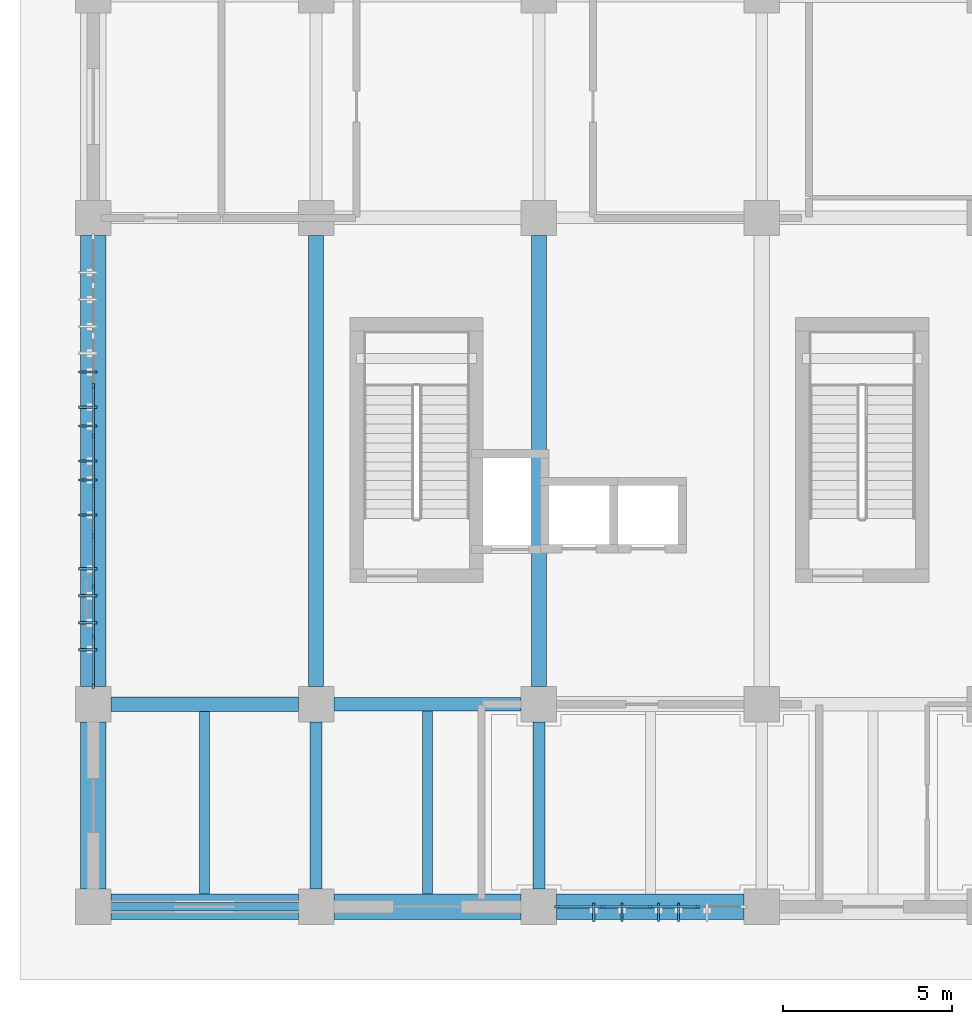
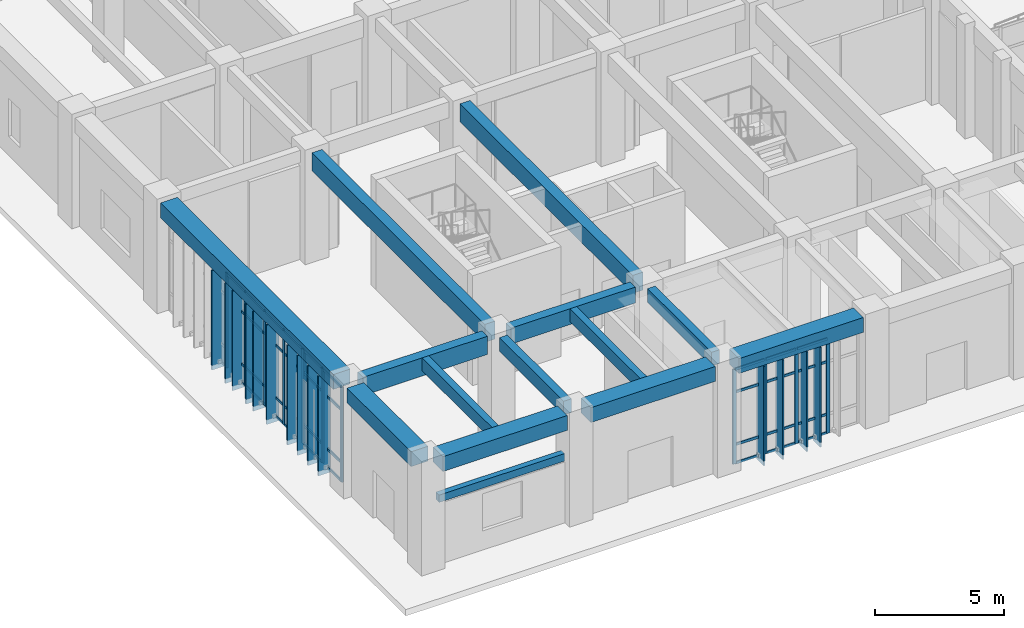
# One storey, part 5 of 70: 61 members, 14 beams, 2 elements without a shape of their own.
"""IFC4 building model written with IfcOpenShell, lengths in metres."""

from ifc_helpers import new_model, si_unit, direction, frame, origin, origin_2d, place, context, subcontext, project, spatial, rectangle, extrude, material, layer, layer_set, material_profile, profile_set, type_object, element, aggregate, save


model = new_model("IFC4")

# Units and contexts
model_context = context("Model", 3, precision=1e-05, world=origin(), true_north=direction((0.0, 1.0)))
body_context = subcontext(model_context, "Body", "Model", "MODEL_VIEW")
ifc_project = project(units=[si_unit("LENGTHUNIT", "METRE"), si_unit("AREAUNIT", "SQUARE_METRE"), si_unit("VOLUMEUNIT", "CUBIC_METRE"), si_unit("PLANEANGLEUNIT", "RADIAN"), si_unit("MASSUNIT", "GRAM", prefix="KILO")], contexts=[model_context])

# Site, building, storey
site_placement = place(None, origin())
site = spatial("IfcSite", under=ifc_project, at=site_placement, CompositionType="ELEMENT")
building_placement = place(site_placement, origin())
building = spatial("IfcBuilding", under=site, at=building_placement, Name="Miralva Faculty of Natural Sciences", CompositionType="ELEMENT")
storey_placement = place(building_placement, origin())
storey = spatial("IfcBuildingStorey", under=building, at=storey_placement, Name="L00", CompositionType="ELEMENT", Elevation=0.0)

# Beams
ifc_material_1 = material(Name="Concrete C40/50", Category="concrete")
ifc_material_profile_1 = material_profile(ifc_material_1, rectangle(XDim=0.449951171875, YDim=0.85009765625, at=origin_2d()), Name="RC 450x850")
ifc_profile_set_1 = profile_set([ifc_material_profile_1], Name="Concrete C40/50")
beam_type_1 = type_object("IfcBeamType", Name="BM-B01", PredefinedType="BEAM", material=ifc_profile_set_1)
for number, where, z_axis, x_axis, name in (
    (1, (9.60009765625, 9.52490234375, 4.7548828125), (0.0, 1.0, 0.0), (-1.0, 0.0, 0.0), "Girder NS L00-125"),
    (2, (16.199951171875, 9.52490234375, 4.7548828125), (0.0, 1.0, 0.0), (-1.0, 0.0, 0.0), "Girder NS L00-138"),
):
    element("IfcBeam", number, at=place(storey_placement, frame(where, z_axis=z_axis, x_axis=x_axis)), inside=storey, type_object=beam_type_1, Name=name, PredefinedType="BEAM", context=body_context, shape_type="SweptSolid", body=[
        extrude(rectangle(XDim=0.449951171875, YDim=0.85009765625, at=origin_2d()), origin(), (0.0, 0.0, 1.0), 13.35009765625),
    ])
ifc_material_profile_2 = material_profile(ifc_material_1, rectangle(XDim=0.39990234375, YDim=0.75, at=origin_2d()), Name="RC 400x750")
ifc_profile_set_2 = profile_set([ifc_material_profile_2], Name="Concrete C40/50")
beam_type_2 = type_object("IfcBeamType", Name="BM-B03", PredefinedType="BEAM", material=ifc_profile_set_2)
beam_1_placement = place(storey_placement, frame((10.125, 9.0, 4.804931640625), z_axis=(1.0, 0.0, 0.0), x_axis=(0.0, 1.0, 0.0)))
element("IfcBeam", 3, at=beam_1_placement, inside=storey, type_object=beam_type_2, Name="Girder EW L00-12", PredefinedType="BEAM", context=body_context, shape_type="SweptSolid", body=[
    extrude(rectangle(XDim=0.39990234375, YDim=0.75, at=origin_2d()), origin(), (0.0, 0.0, 1.0), 5.550048828125),
])
ifc_material_profile_3 = material_profile(ifc_material_1, rectangle(XDim=0.35009765625, YDim=0.64990234375, at=origin_2d()), Name="RC 350x650")
ifc_profile_set_3 = profile_set([ifc_material_profile_3], Name="Concrete C40/50")
beam_type_3 = type_object("IfcBeamType", Name="BM-B05", PredefinedType="BEAM", material=ifc_profile_set_3)
for number, where, z_axis, x_axis, name in (
    (4, (9.60009765625, 3.52490234375, 4.85498046875), (0.0, 1.0, 0.0), (-1.0, 0.0, 0.0), "Girder NS L00-124"),
    (5, (16.199951171875, 3.52490234375, 4.85498046875), (0.0, 1.0, 0.0), (-1.0, 0.0, 0.0), "Girder NS L00-137"),
):
    element("IfcBeam", number, at=place(storey_placement, frame(where, z_axis=z_axis, x_axis=x_axis)), inside=storey, type_object=beam_type_3, Name=name, PredefinedType="BEAM", context=body_context, shape_type="SweptSolid", body=[
        extrude(rectangle(XDim=0.35009765625, YDim=0.64990234375, at=origin_2d()), origin(), (0.0, 0.0, 1.0), 4.9501953125),
    ])
ifc_material_profile_4 = material_profile(ifc_material_1, rectangle(XDim=0.419921875, YDim=0.860107421875, at=origin_2d()), Name="RC 420x860")
ifc_profile_set_4 = profile_set([ifc_material_profile_4], Name="Concrete C40/50")
beam_type_4 = type_object("IfcBeamType", Name="BM-BG12", PredefinedType="BEAM", material=ifc_profile_set_4)
beam_2_placement = place(storey_placement, frame((3.52490234375, 9.0, 4.75), z_axis=(1.0, 0.0, 0.0), x_axis=(0.0, 1.0, 0.0)))
element("IfcBeam", 6, at=beam_2_placement, inside=storey, type_object=beam_type_4, Name="Girder EW L00-11", PredefinedType="BEAM", context=body_context, shape_type="SweptSolid", body=[
    extrude(rectangle(XDim=0.419921875, YDim=0.860107421875, at=origin_2d()), origin(), (0.0, 0.0, 1.0), 5.550048828125),
])
ifc_material_profile_5 = material_profile(ifc_material_1, rectangle(XDim=0.300048828125, YDim=0.60009765625, at=origin_2d()), Name="RC 300x600")
ifc_profile_set_5 = profile_set([ifc_material_profile_5], Name="Concrete C40/50")
beam_type_5 = type_object("IfcBeamType", Name="BM-J01", PredefinedType="JOIST", material=ifc_profile_set_5)
beam_3_placement = place(storey_placement, frame((6.300048828125, 3.375, 4.8798828125), z_axis=(0.0, 1.0, 0.0), x_axis=(-1.0, 0.0, 0.0)))
element("IfcBeam", 7, at=beam_3_placement, inside=storey, type_object=beam_type_5, Name="Floor joist L00-1", PredefinedType="JOIST", context=body_context, shape_type="SweptSolid", body=[
    extrude(rectangle(XDim=0.300048828125, YDim=0.60009765625, at=origin_2d()), origin(), (0.0, 0.0, 1.0), 5.4150390625),
])
beam_4_placement = place(storey_placement, frame((12.89990234375, 3.375, 4.8798828125), z_axis=(0.0, 1.0, 0.0), x_axis=(-1.0, 0.0, 0.0)))
element("IfcBeam", 8, at=beam_4_placement, inside=storey, type_object=beam_type_5, Name="Floor joist L00-2", PredefinedType="JOIST", context=body_context, shape_type="SweptSolid", body=[
    extrude(rectangle(XDim=0.300048828125, YDim=0.60009765625, at=origin_2d()), origin(), (0.0, 0.0, 1.0), 5.425048828125),
])
ifc_material_2 = material(Name="Precast concrete C40/50", Category="concrete")
ifc_material_profile_6 = material_profile(ifc_material_2, rectangle(XDim=0.25, YDim=0.35009765625, at=origin_2d()), Name="RC 250x350")
ifc_profile_set_6 = profile_set([ifc_material_profile_6], Name="Precast concrete C40/50")
beam_type_6 = type_object("IfcBeamType", Name="BM-LN01", PredefinedType="LINTEL", material=ifc_profile_set_6)
beam_5_placement = place(storey_placement, frame((3.498779296875, 3.0, 3.050048828125), z_axis=(1.0, 0.0, 0.0), x_axis=(0.0, 1.0, 0.0)))
element("IfcBeam", 9, at=beam_5_placement, inside=storey, type_object=beam_type_6, Name="Precast stone window lintel S L00", PredefinedType="LINTEL", context=body_context, shape_type="SweptSolid", body=[
    extrude(rectangle(XDim=0.25, YDim=0.35009765625, at=origin_2d()), origin(), (0.0, 0.0, 1.0), 5.6025390625),
])
ifc_material_profile_7 = material_profile(ifc_material_1, rectangle(XDim=0.75, YDim=0.699951171875, at=origin_2d()), Name="RC 750x700")
ifc_profile_set_7 = profile_set([ifc_material_profile_7], Name="Concrete C40/50")
beam_type_7 = type_object("IfcBeamType", Name="BM-SP01", PredefinedType="SPANDREL", material=ifc_profile_set_7)
for number, where, z_axis, x_axis, name in (
    (10, (3.52490234375, 3.0, 4.830078125), (1.0, 0.0, 0.0), (0.0, 1.0, 0.0), "Girder EW L00-1"),
    (11, (10.125, 3.0, 4.830078125), (1.0, 0.0, 0.0), (0.0, 1.0, 0.0), "Girder EW L00-2"),
):
    element("IfcBeam", number, at=place(storey_placement, frame(where, z_axis=z_axis, x_axis=x_axis)), inside=storey, type_object=beam_type_7, Name=name, PredefinedType="SPANDREL", context=body_context, shape_type="SweptSolid", body=[
        extrude(rectangle(XDim=0.75, YDim=0.699951171875, at=origin_2d()), origin(), (0.0, 0.0, 1.0), 5.550048828125),
    ])
beam_6_placement = place(storey_placement, frame((16.72509765625, 3.0, 4.830078125), z_axis=(1.0, 0.0, 0.0), x_axis=(0.0, 1.0, 0.0)))
element("IfcBeam", 12, at=beam_6_placement, inside=storey, type_object=beam_type_7, Name="Girder EW L00-3", PredefinedType="SPANDREL", context=body_context, shape_type="SweptSolid", body=[
    extrude(rectangle(XDim=0.75, YDim=0.699951171875, at=origin_2d()), origin(), (0.0, 0.0, 1.0), 5.5498046875),
])
beam_7_placement = place(storey_placement, frame((3.0, 3.52490234375, 4.830078125), z_axis=(0.0, 1.0, 0.0), x_axis=(-1.0, 0.0, 0.0)))
element("IfcBeam", 13, at=beam_7_placement, inside=storey, type_object=beam_type_7, Name="Girder NS L00-111", PredefinedType="SPANDREL", context=body_context, shape_type="SweptSolid", body=[
    extrude(rectangle(XDim=0.75, YDim=0.699951171875, at=origin_2d()), origin(), (0.0, 0.0, 1.0), 4.9501953125),
])
beam_8_placement = place(storey_placement, frame((3.0, 9.52490234375, 4.830078125), z_axis=(0.0, 1.0, 0.0), x_axis=(-1.0, 0.0, 0.0)))
element("IfcBeam", 14, at=beam_8_placement, inside=storey, type_object=beam_type_7, Name="Girder NS L00-112", PredefinedType="SPANDREL", context=body_context, shape_type="SweptSolid", body=[
    extrude(rectangle(XDim=0.75, YDim=0.699951171875, at=origin_2d()), origin(), (0.0, 0.0, 1.0), 13.35009765625),
])

# Curtain wall, members
ifc_material_3 = material(Name="Laminated solar-control glass", Category="glass")
ifc_layer = layer(ifc_material_3, 0.179931640625, Name="CW-TWR-L00")
ifc_layer_set = layer_set([ifc_layer], Name="Laminated solar-control glass")
curtain_wall_type = type_object("IfcCurtainWallType", Name="CW-TWR-L00", PredefinedType="USERDEFINED", material=ifc_layer_set)
curtain_wall_1_placement = place(storey_placement, origin())
curtain_wall_1 = element("IfcCurtainWall", 15, at=curtain_wall_1_placement, inside=storey, type_object=curtain_wall_type, Name="Curtain wall CW-12 L00-211", ObjectType="UNITISED CURTAIN WALL", PredefinedType="USERDEFINED")
ifc_material_4 = material(Name="Anodised aluminium", Category="aluminium")
ifc_material_profile_8 = material_profile(ifc_material_4, rectangle(XDim=0.06494140625, YDim=0.159912109375, at=origin_2d()), Name="MULLION 65x160")
ifc_profile_set_8 = profile_set([ifc_material_profile_8], Name="Anodised aluminium")
member_type_1 = type_object("IfcMemberType", Name="CW-M02", PredefinedType="MULLION", material=ifc_profile_set_8)
member_1_placement = place(storey_placement, frame((16.737548828125, 3.0, 0.0), z_axis=(0.0, 0.0, 1.0), x_axis=(0.0, 1.0, 0.0)))
member_1 = element("IfcMember", 16, at=member_1_placement, type_object=member_type_1, Name="CW-12 mullion 1", PredefinedType="MULLION", context=body_context, shape_type="SweptSolid", body=[
    extrude(rectangle(XDim=0.06494140625, YDim=0.159912109375, at=origin_2d()), origin(), (0.0, 0.0, 1.0), 4.47509765625),
])
member_2_placement = place(storey_placement, frame((18.1025390625, 3.0, 0.0), z_axis=(0.0, 0.0, 1.0), x_axis=(0.0, 1.0, 0.0)))
member_2 = element("IfcMember", 17, at=member_2_placement, type_object=member_type_1, Name="CW-12 mullion 2", PredefinedType="MULLION", context=body_context, shape_type="SweptSolid", body=[
    extrude(rectangle(XDim=0.06494140625, YDim=0.159912109375, at=origin_2d()), origin(), (0.0, 0.0, 1.0), 4.47509765625),
])
member_3_placement = place(storey_placement, frame((19.5, 3.0, 0.0), z_axis=(0.0, 0.0, 1.0), x_axis=(0.0, 1.0, 0.0)))
member_3 = element("IfcMember", 18, at=member_3_placement, type_object=member_type_1, Name="CW-12 mullion 3", PredefinedType="MULLION", context=body_context, shape_type="SweptSolid", body=[
    extrude(rectangle(XDim=0.06494140625, YDim=0.159912109375, at=origin_2d()), origin(), (0.0, 0.0, 1.0), 4.47509765625),
])
member_4_placement = place(storey_placement, frame((20.8974609375, 3.0, 0.0), z_axis=(0.0, 0.0, 1.0), x_axis=(0.0, 1.0, 0.0)))
member_4 = element("IfcMember", 19, at=member_4_placement, type_object=member_type_1, Name="CW-12 mullion 4", PredefinedType="MULLION", context=body_context, shape_type="SweptSolid", body=[
    extrude(rectangle(XDim=0.06494140625, YDim=0.159912109375, at=origin_2d()), origin(), (0.0, 0.0, 1.0), 4.47509765625),
])

curtain_wall_2_placement = place(storey_placement, origin())
curtain_wall_2 = element("IfcCurtainWall", 20, at=curtain_wall_2_placement, inside=storey, type_object=curtain_wall_type, Name="Curtain wall CW-12 L00-213", ObjectType="UNITISED CURTAIN WALL", PredefinedType="USERDEFINED")
member_5_placement = place(storey_placement, frame((3.0, 9.547607421875, 0.0), z_axis=(0.0, 0.0, 1.0), x_axis=(-1.0, 0.0, 0.0)))
member_5 = element("IfcMember", 21, at=member_5_placement, type_object=member_type_1, Name="CW-12 mullion 1", PredefinedType="MULLION", context=body_context, shape_type="SweptSolid", body=[
    extrude(rectangle(XDim=0.06494140625, YDim=0.159912109375, at=origin_2d()), origin(), (0.0, 0.0, 1.0), 4.47509765625),
])
member_6_placement = place(storey_placement, frame((3.0, 11.00048828125, 0.0), z_axis=(0.0, 0.0, 1.0), x_axis=(-1.0, 0.0, 0.0)))
member_6 = element("IfcMember", 22, at=member_6_placement, type_object=member_type_1, Name="CW-12 mullion 2", PredefinedType="MULLION", context=body_context, shape_type="SweptSolid", body=[
    extrude(rectangle(XDim=0.06494140625, YDim=0.159912109375, at=origin_2d()), origin(), (0.0, 0.0, 1.0), 4.47509765625),
])
member_7_placement = place(storey_placement, frame((3.0, 12.486083984375, 0.0), z_axis=(0.0, 0.0, 1.0), x_axis=(-1.0, 0.0, 0.0)))
member_7 = element("IfcMember", 23, at=member_7_placement, type_object=member_type_1, Name="CW-12 mullion 3", PredefinedType="MULLION", context=body_context, shape_type="SweptSolid", body=[
    extrude(rectangle(XDim=0.06494140625, YDim=0.159912109375, at=origin_2d()), origin(), (0.0, 0.0, 1.0), 4.47509765625),
])
member_8_placement = place(storey_placement, frame((3.0, 13.9716796875, 0.0), z_axis=(0.0, 0.0, 1.0), x_axis=(-1.0, 0.0, 0.0)))
member_8 = element("IfcMember", 24, at=member_8_placement, type_object=member_type_1, Name="CW-12 mullion 4", PredefinedType="MULLION", context=body_context, shape_type="SweptSolid", body=[
    extrude(rectangle(XDim=0.06494140625, YDim=0.159912109375, at=origin_2d()), origin(), (0.0, 0.0, 1.0), 4.47509765625),
])
member_9_placement = place(storey_placement, frame((3.0, 15.457275390625, 0.0), z_axis=(0.0, 0.0, 1.0), x_axis=(-1.0, 0.0, 0.0)))
member_9 = element("IfcMember", 25, at=member_9_placement, type_object=member_type_1, Name="CW-12 mullion 5", PredefinedType="MULLION", context=body_context, shape_type="SweptSolid", body=[
    extrude(rectangle(XDim=0.06494140625, YDim=0.159912109375, at=origin_2d()), origin(), (0.0, 0.0, 1.0), 4.47509765625),
])
member_10_placement = place(storey_placement, frame((3.0, 16.94287109375, 0.0), z_axis=(0.0, 0.0, 1.0), x_axis=(-1.0, 0.0, 0.0)))
member_10 = element("IfcMember", 26, at=member_10_placement, type_object=member_type_1, Name="CW-12 mullion 6", PredefinedType="MULLION", context=body_context, shape_type="SweptSolid", body=[
    extrude(rectangle(XDim=0.06494140625, YDim=0.159912109375, at=origin_2d()), origin(), (0.0, 0.0, 1.0), 4.47509765625),
])
member_11_placement = place(storey_placement, frame((3.0, 18.42822265625, 0.0), z_axis=(0.0, 0.0, 1.0), x_axis=(-1.0, 0.0, 0.0)))
member_11 = element("IfcMember", 27, at=member_11_placement, type_object=member_type_1, Name="CW-12 mullion 7", PredefinedType="MULLION", context=body_context, shape_type="SweptSolid", body=[
    extrude(rectangle(XDim=0.06494140625, YDim=0.159912109375, at=origin_2d()), origin(), (0.0, 0.0, 1.0), 4.47509765625),
])

# Member
ifc_material_profile_9 = material_profile(ifc_material_4, rectangle(XDim=0.06005859375, YDim=0.1201171875, at=origin_2d()), Name="TRANSOM 60x120")
ifc_profile_set_9 = profile_set([ifc_material_profile_9], Name="Anodised aluminium")
member_type_2 = type_object("IfcMemberType", Name="CW-T02", PredefinedType="USERDEFINED", material=ifc_profile_set_9)
member_12_placement = place(storey_placement, frame((16.77001953125, 3.0, 0.030029296875), z_axis=(1.0, 0.0, 0.0), x_axis=(0.0, 1.0, 0.0)))
member_12 = element("IfcMember", 28, at=member_12_placement, type_object=member_type_2, Name="CW-12 transom 1.1", ObjectType="TRANSOM", PredefinedType="USERDEFINED", context=body_context, shape_type="SweptSolid", body=[
    extrude(rectangle(XDim=0.06005859375, YDim=0.1201171875, at=origin_2d()), origin(), (0.0, 0.0, 1.0), 1.300048828125),
])

member_13_placement = place(storey_placement, frame((16.77001953125, 3.0, 0.89990234375), z_axis=(1.0, 0.0, 0.0), x_axis=(0.0, 1.0, 0.0)))
member_13 = element("IfcMember", 29, at=member_13_placement, type_object=member_type_2, Name="CW-12 transom 1.2", ObjectType="TRANSOM", PredefinedType="USERDEFINED", context=body_context, shape_type="SweptSolid", body=[
    extrude(rectangle(XDim=0.06005859375, YDim=0.1201171875, at=origin_2d()), origin(), (0.0, 0.0, 1.0), 1.300048828125),
])

member_14_placement = place(storey_placement, frame((16.77001953125, 3.0, 3.375), z_axis=(1.0, 0.0, 0.0), x_axis=(0.0, 1.0, 0.0)))
member_14 = element("IfcMember", 30, at=member_14_placement, type_object=member_type_2, Name="CW-12 transom 1.3", ObjectType="TRANSOM", PredefinedType="USERDEFINED", context=body_context, shape_type="SweptSolid", body=[
    extrude(rectangle(XDim=0.06005859375, YDim=0.1201171875, at=origin_2d()), origin(), (0.0, 0.0, 1.0), 1.300048828125),
])

member_15_placement = place(storey_placement, frame((16.77001953125, 3.0, 4.445068359375), z_axis=(1.0, 0.0, 0.0), x_axis=(0.0, 1.0, 0.0)))
member_15 = element("IfcMember", 31, at=member_15_placement, type_object=member_type_2, Name="CW-12 transom 1.4", ObjectType="TRANSOM", PredefinedType="USERDEFINED", context=body_context, shape_type="SweptSolid", body=[
    extrude(rectangle(XDim=0.06005859375, YDim=0.1201171875, at=origin_2d()), origin(), (0.0, 0.0, 1.0), 1.300048828125),
])

member_16_placement = place(storey_placement, frame((18.135009765625, 3.0, 0.030029296875), z_axis=(1.0, 0.0, 0.0), x_axis=(0.0, 1.0, 0.0)))
member_16 = element("IfcMember", 32, at=member_16_placement, type_object=member_type_2, Name="CW-12 transom 2.1", ObjectType="TRANSOM", PredefinedType="USERDEFINED", context=body_context, shape_type="SweptSolid", body=[
    extrude(rectangle(XDim=0.06005859375, YDim=0.1201171875, at=origin_2d()), origin(), (0.0, 0.0, 1.0), 1.33251953125),
])

member_17_placement = place(storey_placement, frame((18.135009765625, 3.0, 0.89990234375), z_axis=(1.0, 0.0, 0.0), x_axis=(0.0, 1.0, 0.0)))
member_17 = element("IfcMember", 33, at=member_17_placement, type_object=member_type_2, Name="CW-12 transom 2.2", ObjectType="TRANSOM", PredefinedType="USERDEFINED", context=body_context, shape_type="SweptSolid", body=[
    extrude(rectangle(XDim=0.06005859375, YDim=0.1201171875, at=origin_2d()), origin(), (0.0, 0.0, 1.0), 1.33251953125),
])

member_18_placement = place(storey_placement, frame((18.135009765625, 3.0, 3.375), z_axis=(1.0, 0.0, 0.0), x_axis=(0.0, 1.0, 0.0)))
member_18 = element("IfcMember", 34, at=member_18_placement, type_object=member_type_2, Name="CW-12 transom 2.3", ObjectType="TRANSOM", PredefinedType="USERDEFINED", context=body_context, shape_type="SweptSolid", body=[
    extrude(rectangle(XDim=0.06005859375, YDim=0.1201171875, at=origin_2d()), origin(), (0.0, 0.0, 1.0), 1.33251953125),
])

member_19_placement = place(storey_placement, frame((18.135009765625, 3.0, 4.445068359375), z_axis=(1.0, 0.0, 0.0), x_axis=(0.0, 1.0, 0.0)))
member_19 = element("IfcMember", 35, at=member_19_placement, type_object=member_type_2, Name="CW-12 transom 2.4", ObjectType="TRANSOM", PredefinedType="USERDEFINED", context=body_context, shape_type="SweptSolid", body=[
    extrude(rectangle(XDim=0.06005859375, YDim=0.1201171875, at=origin_2d()), origin(), (0.0, 0.0, 1.0), 1.33251953125),
])

member_20_placement = place(storey_placement, frame((19.532470703125, 3.0, 0.030029296875), z_axis=(1.0, 0.0, 0.0), x_axis=(0.0, 1.0, 0.0)))
member_20 = element("IfcMember", 36, at=member_20_placement, type_object=member_type_2, Name="CW-12 transom 3.1", ObjectType="TRANSOM", PredefinedType="USERDEFINED", context=body_context, shape_type="SweptSolid", body=[
    extrude(rectangle(XDim=0.06005859375, YDim=0.1201171875, at=origin_2d()), origin(), (0.0, 0.0, 1.0), 1.33251953125),
])

member_21_placement = place(storey_placement, frame((19.532470703125, 3.0, 0.89990234375), z_axis=(1.0, 0.0, 0.0), x_axis=(0.0, 1.0, 0.0)))
member_21 = element("IfcMember", 37, at=member_21_placement, type_object=member_type_2, Name="CW-12 transom 3.2", ObjectType="TRANSOM", PredefinedType="USERDEFINED", context=body_context, shape_type="SweptSolid", body=[
    extrude(rectangle(XDim=0.06005859375, YDim=0.1201171875, at=origin_2d()), origin(), (0.0, 0.0, 1.0), 1.33251953125),
])

member_22_placement = place(storey_placement, frame((19.532470703125, 3.0, 3.375), z_axis=(1.0, 0.0, 0.0), x_axis=(0.0, 1.0, 0.0)))
member_22 = element("IfcMember", 38, at=member_22_placement, type_object=member_type_2, Name="CW-12 transom 3.3", ObjectType="TRANSOM", PredefinedType="USERDEFINED", context=body_context, shape_type="SweptSolid", body=[
    extrude(rectangle(XDim=0.06005859375, YDim=0.1201171875, at=origin_2d()), origin(), (0.0, 0.0, 1.0), 1.33251953125),
])

member_23_placement = place(storey_placement, frame((19.532470703125, 3.0, 4.445068359375), z_axis=(1.0, 0.0, 0.0), x_axis=(0.0, 1.0, 0.0)))
member_23 = element("IfcMember", 39, at=member_23_placement, type_object=member_type_2, Name="CW-12 transom 3.4", ObjectType="TRANSOM", PredefinedType="USERDEFINED", context=body_context, shape_type="SweptSolid", body=[
    extrude(rectangle(XDim=0.06005859375, YDim=0.1201171875, at=origin_2d()), origin(), (0.0, 0.0, 1.0), 1.33251953125),
])

aggregate(curtain_wall_1, [member_1, member_2, member_3, member_4, member_12, member_13, member_14, member_15, member_16, member_17, member_18, member_19, member_20, member_21, member_22, member_23])

member_24_placement = place(storey_placement, frame((3.0, 9.580078125, 0.030029296875), z_axis=(0.0, 1.0, 0.0), x_axis=(-1.0, 0.0, 0.0)))
member_24 = element("IfcMember", 40, at=member_24_placement, type_object=member_type_2, Name="CW-12 transom 1.1", ObjectType="TRANSOM", PredefinedType="USERDEFINED", context=body_context, shape_type="SweptSolid", body=[
    extrude(rectangle(XDim=0.06005859375, YDim=0.1201171875, at=origin_2d()), origin(), (0.0, 0.0, 1.0), 1.387939453125),
])

member_25_placement = place(storey_placement, frame((3.0, 9.580078125, 0.89990234375), z_axis=(0.0, 1.0, 0.0), x_axis=(-1.0, 0.0, 0.0)))
member_25 = element("IfcMember", 41, at=member_25_placement, type_object=member_type_2, Name="CW-12 transom 1.2", ObjectType="TRANSOM", PredefinedType="USERDEFINED", context=body_context, shape_type="SweptSolid", body=[
    extrude(rectangle(XDim=0.06005859375, YDim=0.1201171875, at=origin_2d()), origin(), (0.0, 0.0, 1.0), 1.387939453125),
])

member_26_placement = place(storey_placement, frame((3.0, 9.580078125, 3.375), z_axis=(0.0, 1.0, 0.0), x_axis=(-1.0, 0.0, 0.0)))
member_26 = element("IfcMember", 42, at=member_26_placement, type_object=member_type_2, Name="CW-12 transom 1.3", ObjectType="TRANSOM", PredefinedType="USERDEFINED", context=body_context, shape_type="SweptSolid", body=[
    extrude(rectangle(XDim=0.06005859375, YDim=0.1201171875, at=origin_2d()), origin(), (0.0, 0.0, 1.0), 1.387939453125),
])

member_27_placement = place(storey_placement, frame((3.0, 9.580078125, 4.445068359375), z_axis=(0.0, 1.0, 0.0), x_axis=(-1.0, 0.0, 0.0)))
member_27 = element("IfcMember", 43, at=member_27_placement, type_object=member_type_2, Name="CW-12 transom 1.4", ObjectType="TRANSOM", PredefinedType="USERDEFINED", context=body_context, shape_type="SweptSolid", body=[
    extrude(rectangle(XDim=0.06005859375, YDim=0.1201171875, at=origin_2d()), origin(), (0.0, 0.0, 1.0), 1.387939453125),
])

member_28_placement = place(storey_placement, frame((3.0, 11.032958984375, 0.030029296875), z_axis=(0.0, 1.0, 0.0), x_axis=(-1.0, 0.0, 0.0)))
member_28 = element("IfcMember", 44, at=member_28_placement, type_object=member_type_2, Name="CW-12 transom 2.1", ObjectType="TRANSOM", PredefinedType="USERDEFINED", context=body_context, shape_type="SweptSolid", body=[
    extrude(rectangle(XDim=0.06005859375, YDim=0.1201171875, at=origin_2d()), origin(), (0.0, 0.0, 1.0), 1.420654296875),
])

member_29_placement = place(storey_placement, frame((3.0, 11.032958984375, 0.89990234375), z_axis=(0.0, 1.0, 0.0), x_axis=(-1.0, 0.0, 0.0)))
member_29 = element("IfcMember", 45, at=member_29_placement, type_object=member_type_2, Name="CW-12 transom 2.2", ObjectType="TRANSOM", PredefinedType="USERDEFINED", context=body_context, shape_type="SweptSolid", body=[
    extrude(rectangle(XDim=0.06005859375, YDim=0.1201171875, at=origin_2d()), origin(), (0.0, 0.0, 1.0), 1.420654296875),
])

member_30_placement = place(storey_placement, frame((3.0, 11.032958984375, 3.375), z_axis=(0.0, 1.0, 0.0), x_axis=(-1.0, 0.0, 0.0)))
member_30 = element("IfcMember", 46, at=member_30_placement, type_object=member_type_2, Name="CW-12 transom 2.3", ObjectType="TRANSOM", PredefinedType="USERDEFINED", context=body_context, shape_type="SweptSolid", body=[
    extrude(rectangle(XDim=0.06005859375, YDim=0.1201171875, at=origin_2d()), origin(), (0.0, 0.0, 1.0), 1.420654296875),
])

member_31_placement = place(storey_placement, frame((3.0, 11.032958984375, 4.445068359375), z_axis=(0.0, 1.0, 0.0), x_axis=(-1.0, 0.0, 0.0)))
member_31 = element("IfcMember", 47, at=member_31_placement, type_object=member_type_2, Name="CW-12 transom 2.4", ObjectType="TRANSOM", PredefinedType="USERDEFINED", context=body_context, shape_type="SweptSolid", body=[
    extrude(rectangle(XDim=0.06005859375, YDim=0.1201171875, at=origin_2d()), origin(), (0.0, 0.0, 1.0), 1.420654296875),
])

member_32_placement = place(storey_placement, frame((3.0, 12.5185546875, 0.030029296875), z_axis=(0.0, 1.0, 0.0), x_axis=(-1.0, 0.0, 0.0)))
member_32 = element("IfcMember", 48, at=member_32_placement, type_object=member_type_2, Name="CW-12 transom 3.1", ObjectType="TRANSOM", PredefinedType="USERDEFINED", context=body_context, shape_type="SweptSolid", body=[
    extrude(rectangle(XDim=0.06005859375, YDim=0.1201171875, at=origin_2d()), origin(), (0.0, 0.0, 1.0), 1.420654296875),
])

member_33_placement = place(storey_placement, frame((3.0, 12.5185546875, 0.89990234375), z_axis=(0.0, 1.0, 0.0), x_axis=(-1.0, 0.0, 0.0)))
member_33 = element("IfcMember", 49, at=member_33_placement, type_object=member_type_2, Name="CW-12 transom 3.2", ObjectType="TRANSOM", PredefinedType="USERDEFINED", context=body_context, shape_type="SweptSolid", body=[
    extrude(rectangle(XDim=0.06005859375, YDim=0.1201171875, at=origin_2d()), origin(), (0.0, 0.0, 1.0), 1.420654296875),
])

member_34_placement = place(storey_placement, frame((3.0, 12.5185546875, 3.375), z_axis=(0.0, 1.0, 0.0), x_axis=(-1.0, 0.0, 0.0)))
member_34 = element("IfcMember", 50, at=member_34_placement, type_object=member_type_2, Name="CW-12 transom 3.3", ObjectType="TRANSOM", PredefinedType="USERDEFINED", context=body_context, shape_type="SweptSolid", body=[
    extrude(rectangle(XDim=0.06005859375, YDim=0.1201171875, at=origin_2d()), origin(), (0.0, 0.0, 1.0), 1.420654296875),
])

member_35_placement = place(storey_placement, frame((3.0, 12.5185546875, 4.445068359375), z_axis=(0.0, 1.0, 0.0), x_axis=(-1.0, 0.0, 0.0)))
member_35 = element("IfcMember", 51, at=member_35_placement, type_object=member_type_2, Name="CW-12 transom 3.4", ObjectType="TRANSOM", PredefinedType="USERDEFINED", context=body_context, shape_type="SweptSolid", body=[
    extrude(rectangle(XDim=0.06005859375, YDim=0.1201171875, at=origin_2d()), origin(), (0.0, 0.0, 1.0), 1.420654296875),
])

member_36_placement = place(storey_placement, frame((3.0, 14.004150390625, 0.030029296875), z_axis=(0.0, 1.0, 0.0), x_axis=(-1.0, 0.0, 0.0)))
member_36 = element("IfcMember", 52, at=member_36_placement, type_object=member_type_2, Name="CW-12 transom 4.1", ObjectType="TRANSOM", PredefinedType="USERDEFINED", context=body_context, shape_type="SweptSolid", body=[
    extrude(rectangle(XDim=0.06005859375, YDim=0.1201171875, at=origin_2d()), origin(), (0.0, 0.0, 1.0), 1.420654296875),
])

member_37_placement = place(storey_placement, frame((3.0, 14.004150390625, 0.89990234375), z_axis=(0.0, 1.0, 0.0), x_axis=(-1.0, 0.0, 0.0)))
member_37 = element("IfcMember", 53, at=member_37_placement, type_object=member_type_2, Name="CW-12 transom 4.2", ObjectType="TRANSOM", PredefinedType="USERDEFINED", context=body_context, shape_type="SweptSolid", body=[
    extrude(rectangle(XDim=0.06005859375, YDim=0.1201171875, at=origin_2d()), origin(), (0.0, 0.0, 1.0), 1.420654296875),
])

member_38_placement = place(storey_placement, frame((3.0, 14.004150390625, 3.375), z_axis=(0.0, 1.0, 0.0), x_axis=(-1.0, 0.0, 0.0)))
member_38 = element("IfcMember", 54, at=member_38_placement, type_object=member_type_2, Name="CW-12 transom 4.3", ObjectType="TRANSOM", PredefinedType="USERDEFINED", context=body_context, shape_type="SweptSolid", body=[
    extrude(rectangle(XDim=0.06005859375, YDim=0.1201171875, at=origin_2d()), origin(), (0.0, 0.0, 1.0), 1.420654296875),
])

member_39_placement = place(storey_placement, frame((3.0, 14.004150390625, 4.445068359375), z_axis=(0.0, 1.0, 0.0), x_axis=(-1.0, 0.0, 0.0)))
member_39 = element("IfcMember", 55, at=member_39_placement, type_object=member_type_2, Name="CW-12 transom 4.4", ObjectType="TRANSOM", PredefinedType="USERDEFINED", context=body_context, shape_type="SweptSolid", body=[
    extrude(rectangle(XDim=0.06005859375, YDim=0.1201171875, at=origin_2d()), origin(), (0.0, 0.0, 1.0), 1.420654296875),
])

member_40_placement = place(storey_placement, frame((3.0, 15.48974609375, 0.030029296875), z_axis=(0.0, 1.0, 0.0), x_axis=(-1.0, 0.0, 0.0)))
member_40 = element("IfcMember", 56, at=member_40_placement, type_object=member_type_2, Name="CW-12 transom 5.1", ObjectType="TRANSOM", PredefinedType="USERDEFINED", context=body_context, shape_type="SweptSolid", body=[
    extrude(rectangle(XDim=0.06005859375, YDim=0.1201171875, at=origin_2d()), origin(), (0.0, 0.0, 1.0), 1.42041015625),
])

member_41_placement = place(storey_placement, frame((3.0, 15.48974609375, 0.89990234375), z_axis=(0.0, 1.0, 0.0), x_axis=(-1.0, 0.0, 0.0)))
member_41 = element("IfcMember", 57, at=member_41_placement, type_object=member_type_2, Name="CW-12 transom 5.2", ObjectType="TRANSOM", PredefinedType="USERDEFINED", context=body_context, shape_type="SweptSolid", body=[
    extrude(rectangle(XDim=0.06005859375, YDim=0.1201171875, at=origin_2d()), origin(), (0.0, 0.0, 1.0), 1.42041015625),
])

member_42_placement = place(storey_placement, frame((3.0, 15.48974609375, 3.375), z_axis=(0.0, 1.0, 0.0), x_axis=(-1.0, 0.0, 0.0)))
member_42 = element("IfcMember", 58, at=member_42_placement, type_object=member_type_2, Name="CW-12 transom 5.3", ObjectType="TRANSOM", PredefinedType="USERDEFINED", context=body_context, shape_type="SweptSolid", body=[
    extrude(rectangle(XDim=0.06005859375, YDim=0.1201171875, at=origin_2d()), origin(), (0.0, 0.0, 1.0), 1.42041015625),
])

member_43_placement = place(storey_placement, frame((3.0, 15.48974609375, 4.445068359375), z_axis=(0.0, 1.0, 0.0), x_axis=(-1.0, 0.0, 0.0)))
member_43 = element("IfcMember", 59, at=member_43_placement, type_object=member_type_2, Name="CW-12 transom 5.4", ObjectType="TRANSOM", PredefinedType="USERDEFINED", context=body_context, shape_type="SweptSolid", body=[
    extrude(rectangle(XDim=0.06005859375, YDim=0.1201171875, at=origin_2d()), origin(), (0.0, 0.0, 1.0), 1.42041015625),
])

member_44_placement = place(storey_placement, frame((3.0, 16.975341796875, 0.030029296875), z_axis=(0.0, 1.0, 0.0), x_axis=(-1.0, 0.0, 0.0)))
member_44 = element("IfcMember", 60, at=member_44_placement, type_object=member_type_2, Name="CW-12 transom 6.1", ObjectType="TRANSOM", PredefinedType="USERDEFINED", context=body_context, shape_type="SweptSolid", body=[
    extrude(rectangle(XDim=0.06005859375, YDim=0.1201171875, at=origin_2d()), origin(), (0.0, 0.0, 1.0), 1.42041015625),
])

member_45_placement = place(storey_placement, frame((3.0, 16.975341796875, 0.89990234375), z_axis=(0.0, 1.0, 0.0), x_axis=(-1.0, 0.0, 0.0)))
member_45 = element("IfcMember", 61, at=member_45_placement, type_object=member_type_2, Name="CW-12 transom 6.2", ObjectType="TRANSOM", PredefinedType="USERDEFINED", context=body_context, shape_type="SweptSolid", body=[
    extrude(rectangle(XDim=0.06005859375, YDim=0.1201171875, at=origin_2d()), origin(), (0.0, 0.0, 1.0), 1.42041015625),
])

member_46_placement = place(storey_placement, frame((3.0, 16.975341796875, 3.375), z_axis=(0.0, 1.0, 0.0), x_axis=(-1.0, 0.0, 0.0)))
member_46 = element("IfcMember", 62, at=member_46_placement, type_object=member_type_2, Name="CW-12 transom 6.3", ObjectType="TRANSOM", PredefinedType="USERDEFINED", context=body_context, shape_type="SweptSolid", body=[
    extrude(rectangle(XDim=0.06005859375, YDim=0.1201171875, at=origin_2d()), origin(), (0.0, 0.0, 1.0), 1.42041015625),
])

member_47_placement = place(storey_placement, frame((3.0, 16.975341796875, 4.445068359375), z_axis=(0.0, 1.0, 0.0), x_axis=(-1.0, 0.0, 0.0)))
member_47 = element("IfcMember", 63, at=member_47_placement, type_object=member_type_2, Name="CW-12 transom 6.4", ObjectType="TRANSOM", PredefinedType="USERDEFINED", context=body_context, shape_type="SweptSolid", body=[
    extrude(rectangle(XDim=0.06005859375, YDim=0.1201171875, at=origin_2d()), origin(), (0.0, 0.0, 1.0), 1.42041015625),
])

aggregate(curtain_wall_2, [member_5, member_6, member_7, member_8, member_9, member_10, member_11, member_24, member_25, member_26, member_27, member_28, member_29, member_30, member_31, member_32, member_33, member_34, member_35, member_36, member_37, member_38, member_39, member_40, member_41, member_42, member_43, member_44, member_45, member_46, member_47])

# Members
ifc_material_profile_10 = material_profile(ifc_material_4, rectangle(XDim=0.06494140625, YDim=0.550048828125, at=origin_2d()), Name="FIN 550x65")
ifc_profile_set_10 = profile_set([ifc_material_profile_10], Name="Anodised aluminium")
member_type_3 = type_object("IfcMemberType", Name="MEM-SF03", PredefinedType="USERDEFINED", material=ifc_profile_set_10)
for number, where, z_axis, x_axis, name in (
    (64, (17.823974609375, 2.840087890625, -0.219970703125), (0.0, 0.0, 1.0), (1.0, 0.0, 0.0), "Solar shading fin SF-03 L00-165"),
    (65, (18.662109375, 2.840087890625, -0.219970703125), (0.0, 0.0, 1.0), (1.0, 0.0, 0.0), "Solar shading fin SF-03 L00-166"),
    (66, (19.739990234375, 2.840087890625, -0.219970703125), (0.0, 0.0, 1.0), (1.0, 0.0, 0.0), "Solar shading fin SF-03 L00-167"),
    (67, (20.337890625, 2.840087890625, -0.219970703125), (0.0, 0.0, 1.0), (1.0, 0.0, 0.0), "Solar shading fin SF-03 L00-168"),
    (68, (2.840087890625, 10.614013671875, -0.219970703125), (0.0, 0.0, 1.0), (0.0, -1.0, 0.0), "Solar shading fin SF-03 L00-175"),
    (69, (2.840087890625, 11.412109375, -0.219970703125), (0.0, 0.0, 1.0), (0.0, -1.0, 0.0), "Solar shading fin SF-03 L00-176"),
    (70, (2.840087890625, 12.2099609375, -0.219970703125), (0.0, 0.0, 1.0), (0.0, -1.0, 0.0), "Solar shading fin SF-03 L00-177"),
    (71, (2.840087890625, 13.008056640625, -0.219970703125), (0.0, 0.0, 1.0), (0.0, -1.0, 0.0), "Solar shading fin SF-03 L00-178"),
    (72, (2.840087890625, 14.60400390625, -0.219970703125), (0.0, 0.0, 1.0), (0.0, -1.0, 0.0), "Solar shading fin SF-03 L00-179"),
    (73, (2.840087890625, 15.64208984375, -0.219970703125), (0.0, 0.0, 1.0), (0.0, -1.0, 0.0), "Solar shading fin SF-03 L00-180"),
    (74, (2.840087890625, 16.199951171875, -0.219970703125), (0.0, 0.0, 1.0), (0.0, -1.0, 0.0), "Solar shading fin SF-03 L00-181"),
    (75, (2.840087890625, 17.238037109375, -0.219970703125), (0.0, 0.0, 1.0), (0.0, -1.0, 0.0), "Solar shading fin SF-03 L00-182"),
    (76, (2.840087890625, 17.7958984375, -0.219970703125), (0.0, 0.0, 1.0), (0.0, -1.0, 0.0), "Solar shading fin SF-03 L00-183"),
    (77, (2.840087890625, 18.833984375, -0.219970703125), (0.0, 0.0, 1.0), (0.0, -1.0, 0.0), "Solar shading fin SF-03 L00-184"),
):
    element("IfcMember", number, at=place(storey_placement, frame(where, z_axis=z_axis, x_axis=x_axis)), inside=storey, type_object=member_type_3, Name=name, ObjectType="SUNSHADE", PredefinedType="USERDEFINED", context=body_context, shape_type="SweptSolid", body=[
        extrude(rectangle(XDim=0.06494140625, YDim=0.550048828125, at=origin_2d()), origin(), (0.0, 0.0, 1.0), 4.695068359375),
    ])

save(model, "model.ifc")
